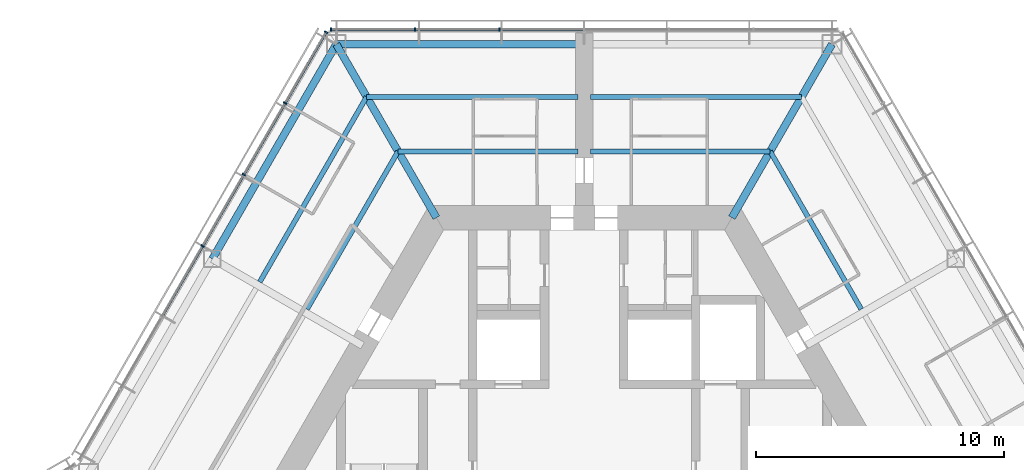
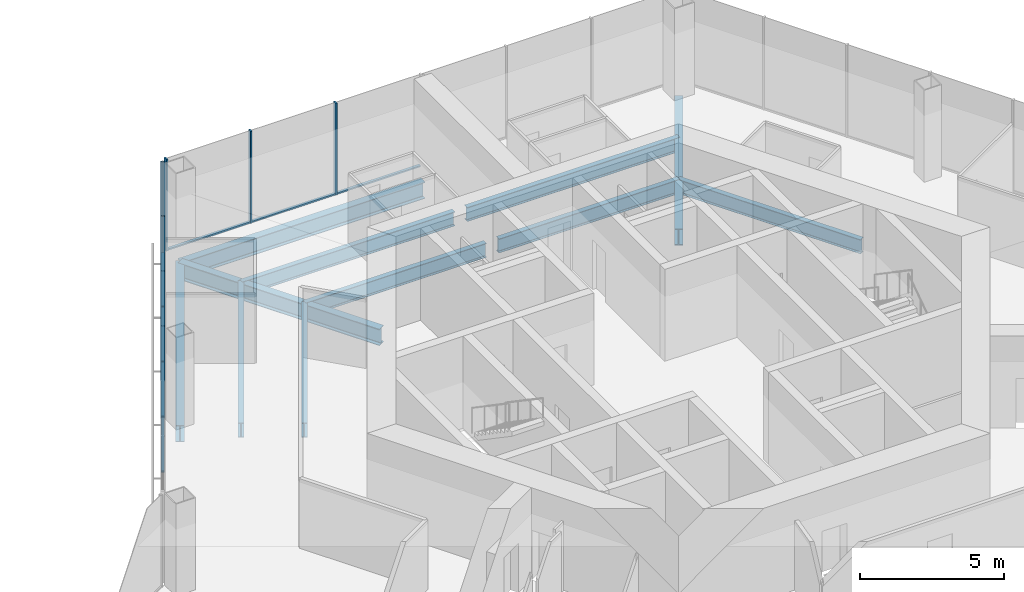
# One storey, part 7 of 18: 14 members, 11 beams, 2 elements without a shape of their own.
"""IFC4 building model written with IfcOpenShell, lengths in metres."""

from ifc_helpers import new_model, si_unit, direction, frame, origin, origin_2d, place, context, subcontext, project, spatial, rectangle, i_section, extrude, material, material_profile, profile_set, type_object, element, aggregate, save


model = new_model("IFC4")

# Units and contexts
model_context = context("Model", 3, precision=1e-05, world=origin(), true_north=direction((0.0, 1.0)))
body_context = subcontext(model_context, "Body", "Model", "MODEL_VIEW")
ifc_project = project(units=[si_unit("LENGTHUNIT", "METRE"), si_unit("AREAUNIT", "SQUARE_METRE"), si_unit("VOLUMEUNIT", "CUBIC_METRE"), si_unit("PLANEANGLEUNIT", "RADIAN"), si_unit("MASSUNIT", "GRAM", prefix="KILO")], contexts=[model_context])

# Site, building, storey
site_placement = place(None, origin())
site = spatial("IfcSite", under=ifc_project, at=site_placement, CompositionType="ELEMENT")
building_placement = place(site_placement, origin())
building = spatial("IfcBuilding", under=site, at=building_placement, Name="Kasaneha Research Tower", CompositionType="ELEMENT")
storey_placement = place(building_placement, frame((0.0, 0.0, 195.5)))
storey = spatial("IfcBuildingStorey", under=building, at=storey_placement, Name="L49", CompositionType="ELEMENT", Elevation=195.5)

# Beams
ifc_material_1 = material(Name="Steel SN490B", Category="steel")
ifc_material_profile_1 = material_profile(ifc_material_1, i_section(OverallWidth=0.199951171875, OverallDepth=0.60009765625, WebThickness=0.010986328125, FlangeThickness=0.01708984375, FilletRadius=0.012939453125, at=origin_2d()), Name="H-600x200x11x17")
ifc_profile_set_1 = profile_set([ifc_material_profile_1], Name="Steel SN490B")
beam_type_1 = type_object("IfcBeamType", Name="B1-3 secondary beam H-600x200x11x17", PredefinedType="JOIST", material=ifc_profile_set_1)
beam_1_placement = place(storey_placement, frame((7.505615234375, 13.0, -0.449951171875), z_axis=(0.499994443168, -0.866028611999, 0.0), x_axis=(0.866028611999, 0.499994443168, 0.0)))
element("IfcBeam", 1, at=beam_1_placement, inside=storey, type_object=beam_type_1, Name="Secondary beam RS030R1 L49", PredefinedType="JOIST", context=body_context, shape_type="SweptSolid", body=[
    extrude(i_section(OverallWidth=0.199951171875, OverallDepth=0.60009765625, WebThickness=0.010986328125, FlangeThickness=0.01708984375, FilletRadius=0.012939453125, at=origin_2d()), origin(), (0.0, 0.0, 1.0), 7.35546875),
])
beam_2_placement = place(storey_placement, frame((7.505615234375, 13.0, -0.449951171875), z_axis=(-1.0, 0.0, 0.0), x_axis=(0.0, -1.0, 0.0)))
element("IfcBeam", 2, at=beam_2_placement, inside=storey, type_object=beam_type_1, Name="Secondary beam RS090L1 L49", PredefinedType="JOIST", context=body_context, shape_type="SweptSolid", body=[
    extrude(i_section(OverallWidth=0.199951171875, OverallDepth=0.60009765625, WebThickness=0.010986328125, FlangeThickness=0.01708984375, FilletRadius=0.012939453125, at=origin_2d()), origin(), (0.0, 0.0, 1.0), 7.255615234375),
])
beam_3_placement = place(storey_placement, frame((8.775634765625, 15.199951171875, -0.449951171875), z_axis=(-1.0, 0.0, 0.0), x_axis=(0.0, -1.0, 0.0)))
element("IfcBeam", 3, at=beam_3_placement, inside=storey, type_object=beam_type_1, Name="Secondary beam RS090L2 L49", PredefinedType="JOIST", context=body_context, shape_type="SweptSolid", body=[
    extrude(i_section(OverallWidth=0.199951171875, OverallDepth=0.60009765625, WebThickness=0.010986328125, FlangeThickness=0.01708984375, FilletRadius=0.012939453125, at=origin_2d()), origin(), (0.0, 0.0, 1.0), 8.525634765625),
])
beam_4_placement = place(storey_placement, frame((-7.505615234375, 13.0, -0.449951171875), z_axis=(1.0, 0.0, 0.0), x_axis=(0.0, 1.0, 0.0)))
element("IfcBeam", 4, at=beam_4_placement, inside=storey, type_object=beam_type_1, Name="Secondary beam RS090R1 L49", PredefinedType="JOIST", context=body_context, shape_type="SweptSolid", body=[
    extrude(i_section(OverallWidth=0.199951171875, OverallDepth=0.60009765625, WebThickness=0.010986328125, FlangeThickness=0.01708984375, FilletRadius=0.012939453125, at=origin_2d()), origin(), (0.0, 0.0, 1.0), 7.255615234375),
])
beam_5_placement = place(storey_placement, frame((-8.775634765625, 15.199951171875, -0.449951171875), z_axis=(1.0, 0.0, 0.0), x_axis=(0.0, 1.0, 0.0)))
element("IfcBeam", 5, at=beam_5_placement, inside=storey, type_object=beam_type_1, Name="Secondary beam RS090R2 L49", PredefinedType="JOIST", context=body_context, shape_type="SweptSolid", body=[
    extrude(i_section(OverallWidth=0.199951171875, OverallDepth=0.60009765625, WebThickness=0.010986328125, FlangeThickness=0.01708984375, FilletRadius=0.012939453125, at=origin_2d()), origin(), (0.0, 0.0, 1.0), 8.525634765625),
])
beam_6_placement = place(storey_placement, frame((-7.505615234375, 13.0, -0.449951171875), z_axis=(-0.499994443168, -0.866028611999, 0.0), x_axis=(0.866028611999, -0.499994443168, 0.0)))
element("IfcBeam", 6, at=beam_6_placement, inside=storey, type_object=beam_type_1, Name="Secondary beam RS150L1 L49", PredefinedType="JOIST", context=body_context, shape_type="SweptSolid", body=[
    extrude(i_section(OverallWidth=0.199951171875, OverallDepth=0.60009765625, WebThickness=0.010986328125, FlangeThickness=0.01708984375, FilletRadius=0.012939453125, at=origin_2d()), origin(), (0.0, 0.0, 1.0), 7.35546875),
])
beam_7_placement = place(storey_placement, frame((-8.775634765625, 15.199951171875, -0.449951171875), z_axis=(-0.500017275495, -0.866015429543, 0.0), x_axis=(0.866015429543, -0.500017275495, 0.0)))
element("IfcBeam", 7, at=beam_7_placement, inside=storey, type_object=beam_type_1, Name="Secondary beam RS150L2 L49", PredefinedType="JOIST", context=body_context, shape_type="SweptSolid", body=[
    extrude(i_section(OverallWidth=0.199951171875, OverallDepth=0.60009765625, WebThickness=0.010986328125, FlangeThickness=0.01708984375, FilletRadius=0.012939453125, at=origin_2d()), origin(), (0.0, 0.0, 1.0), 8.625732421875),
])

# Curtain wall, members
ifc_material_2 = material(Name="Glass and aluminium", Category="aluminium")
curtain_wall_type = type_object("IfcCurtainWallType", Name="Mid-rise office curtain wall", PredefinedType="USERDEFINED", material=ifc_material_2)
curtain_wall_1_placement = place(storey_placement, origin())
curtain_wall_1 = element("IfcCurtainWall", 8, at=curtain_wall_1_placement, inside=storey, type_object=curtain_wall_type, Name="CW-O2 L49 run 07a", ObjectType="UNITISED CURTAIN WALL", PredefinedType="USERDEFINED")
ifc_material_3 = material(Name="Aluminium 6063-T6", Category="aluminium")
ifc_material_profile_2 = material_profile(ifc_material_3, rectangle(XDim=0.06005859375, YDim=0.14990234375, at=origin_2d()), Name="CW-O2 mullion 60x150")
ifc_profile_set_2 = profile_set([ifc_material_profile_2], Name="Aluminium 6063-T6")
member_type_1 = type_object("IfcMemberType", Name="CW-O2 mullion", PredefinedType="MULLION", material=ifc_profile_set_2)
member_1_placement = place(storey_placement, frame((-3.41552734375, 17.92041015625, 0.0), z_axis=(0.0, 0.0, 1.0), x_axis=(-1.0, 0.0, 0.0)))
member_1 = element("IfcMember", 9, at=member_1_placement, type_object=member_type_1, Name="CW-O2 mullion 5", PredefinedType="MULLION", context=body_context, shape_type="SweptSolid", body=[
    extrude(rectangle(XDim=0.06005859375, YDim=0.14990234375, at=origin_2d()), origin(), (0.0, 0.0, 1.0), 3.89990234375),
])
member_2_placement = place(storey_placement, frame((-6.8310546875, 17.92041015625, 0.0), z_axis=(0.0, 0.0, 1.0), x_axis=(-1.0, 0.0, 0.0)))
member_2 = element("IfcMember", 10, at=member_2_placement, type_object=member_type_1, Name="CW-O2 mullion 6", PredefinedType="MULLION", context=body_context, shape_type="SweptSolid", body=[
    extrude(rectangle(XDim=0.06005859375, YDim=0.14990234375, at=origin_2d()), origin(), (0.0, 0.0, 1.0), 3.89990234375),
])
member_3_placement = place(storey_placement, frame((-10.21630859375, 17.92041015625, 0.0), z_axis=(0.0, 0.0, 1.0), x_axis=(-1.0, 0.0, 0.0)))
member_3 = element("IfcMember", 11, at=member_3_placement, type_object=member_type_1, Name="CW-O2 mullion 7", PredefinedType="MULLION", context=body_context, shape_type="SweptSolid", body=[
    extrude(rectangle(XDim=0.06005859375, YDim=0.14990234375, at=origin_2d()), origin(), (0.0, 0.0, 1.0), 3.89990234375),
])

curtain_wall_2_placement = place(storey_placement, origin())
curtain_wall_2 = element("IfcCurtainWall", 12, at=curtain_wall_2_placement, inside=storey, type_object=curtain_wall_type, Name="CW-O2 L49 run 08a", ObjectType="UNITISED CURTAIN WALL", PredefinedType="USERDEFINED")
member_4_placement = place(storey_placement, frame((-10.411376953125, 17.807861328125, 0.0), z_axis=(0.0, 0.0, 1.0), x_axis=(-0.499999979232, -0.866025415775, 0.0)))
member_4 = element("IfcMember", 13, at=member_4_placement, type_object=member_type_1, Name="CW-O2 mullion 1", PredefinedType="MULLION", context=body_context, shape_type="SweptSolid", body=[
    extrude(rectangle(XDim=0.06005859375, YDim=0.14990234375, at=origin_2d()), origin(), (0.0, 0.0, 1.0), 3.89990234375),
])
member_5_placement = place(storey_placement, frame((-12.061767578125, 14.94921875, 0.0), z_axis=(0.0, 0.0, 1.0), x_axis=(-0.499999979232, -0.866025415775, 0.0)))
member_5 = element("IfcMember", 14, at=member_5_placement, type_object=member_type_1, Name="CW-O2 mullion 2", PredefinedType="MULLION", context=body_context, shape_type="SweptSolid", body=[
    extrude(rectangle(XDim=0.06005859375, YDim=0.14990234375, at=origin_2d()), origin(), (0.0, 0.0, 1.0), 3.89990234375),
])
member_6_placement = place(storey_placement, frame((-13.727294921875, 12.064453125, 0.0), z_axis=(0.0, 0.0, 1.0), x_axis=(-0.499999979232, -0.866025415775, 0.0)))
member_6 = element("IfcMember", 15, at=member_6_placement, type_object=member_type_1, Name="CW-O2 mullion 3", PredefinedType="MULLION", context=body_context, shape_type="SweptSolid", body=[
    extrude(rectangle(XDim=0.06005859375, YDim=0.14990234375, at=origin_2d()), origin(), (0.0, 0.0, 1.0), 3.89990234375),
])
member_7_placement = place(storey_placement, frame((-15.392822265625, 9.179931640625, 0.0), z_axis=(0.0, 0.0, 1.0), x_axis=(-0.499999979232, -0.866025415775, 0.0)))
member_7 = element("IfcMember", 16, at=member_7_placement, type_object=member_type_1, Name="CW-O2 mullion 4", PredefinedType="MULLION", context=body_context, shape_type="SweptSolid", body=[
    extrude(rectangle(XDim=0.06005859375, YDim=0.14990234375, at=origin_2d()), origin(), (0.0, 0.0, 1.0), 3.89990234375),
])

# Member
ifc_material_4 = material(Name="Aluminium 6063-T6", Category="aluminium")
ifc_material_profile_3 = material_profile(ifc_material_4, rectangle(XDim=0.110107421875, YDim=0.06005859375, at=origin_2d()), Name="CW-O2 transom 110x60")
ifc_profile_set_3 = profile_set([ifc_material_profile_3], Name="Aluminium 6063-T6")
member_type_2 = type_object("IfcMemberType", Name="CW-O2 transom", PredefinedType="USERDEFINED", material=ifc_profile_set_3)
member_8_placement = place(storey_placement, frame((-0.030029296875, 17.92041015625, 0.030029296875), z_axis=(-1.0, 0.0, 0.0), x_axis=(0.0, -1.0, 0.0)))
member_8 = element("IfcMember", 17, at=member_8_placement, type_object=member_type_2, Name="CW-O2 transom 4", ObjectType="TRANSOM", PredefinedType="USERDEFINED", context=body_context, shape_type="SweptSolid", body=[
    extrude(rectangle(XDim=0.110107421875, YDim=0.06005859375, at=origin_2d()), origin(), (0.0, 0.0, 1.0), 3.35546875),
])

member_9_placement = place(storey_placement, frame((-3.445556640625, 17.92041015625, 0.030029296875), z_axis=(-1.0, 0.0, 0.0), x_axis=(0.0, -1.0, 0.0)))
member_9 = element("IfcMember", 18, at=member_9_placement, type_object=member_type_2, Name="CW-O2 transom 5", ObjectType="TRANSOM", PredefinedType="USERDEFINED", context=body_context, shape_type="SweptSolid", body=[
    extrude(rectangle(XDim=0.110107421875, YDim=0.06005859375, at=origin_2d()), origin(), (0.0, 0.0, 1.0), 3.35546875),
])

member_10_placement = place(storey_placement, frame((-6.86083984375, 17.92041015625, 0.030029296875), z_axis=(-1.0, 0.0, 0.0), x_axis=(0.0, -1.0, 0.0)))
member_10 = element("IfcMember", 19, at=member_10_placement, type_object=member_type_2, Name="CW-O2 transom 6", ObjectType="TRANSOM", PredefinedType="USERDEFINED", context=body_context, shape_type="SweptSolid", body=[
    extrude(rectangle(XDim=0.110107421875, YDim=0.06005859375, at=origin_2d()), origin(), (0.0, 0.0, 1.0), 3.32568359375),
])

aggregate(curtain_wall_1, [member_1, member_2, member_3, member_8, member_9, member_10])

member_11_placement = place(storey_placement, frame((-10.426513671875, 17.781982421875, 0.030029296875), z_axis=(-0.499955025697, -0.866051368154, 0.0), x_axis=(0.866051368154, -0.499955025697, 0.0)))
member_11 = element("IfcMember", 20, at=member_11_placement, type_object=member_type_2, Name="CW-O2 transom 1", ObjectType="TRANSOM", PredefinedType="USERDEFINED", context=body_context, shape_type="SweptSolid", body=[
    extrude(rectangle(XDim=0.110107421875, YDim=0.06005859375, at=origin_2d()), origin(), (0.0, 0.0, 1.0), 3.240966796875),
])

member_12_placement = place(storey_placement, frame((-12.076904296875, 14.92333984375, 0.030029296875), z_axis=(-0.500000270186, -0.866025247793, 0.0), x_axis=(0.866025247793, -0.500000270186, 0.0)))
member_12 = element("IfcMember", 21, at=member_12_placement, type_object=member_type_2, Name="CW-O2 transom 2", ObjectType="TRANSOM", PredefinedType="USERDEFINED", context=body_context, shape_type="SweptSolid", body=[
    extrude(rectangle(XDim=0.110107421875, YDim=0.06005859375, at=origin_2d()), origin(), (0.0, 0.0, 1.0), 3.27099609375),
])

member_13_placement = place(storey_placement, frame((-13.742431640625, 12.03857421875, 0.030029296875), z_axis=(-0.500000270186, -0.866025247793, 0.0), x_axis=(0.866025247793, -0.500000270186, 0.0)))
member_13 = element("IfcMember", 22, at=member_13_placement, type_object=member_type_2, Name="CW-O2 transom 3", ObjectType="TRANSOM", PredefinedType="USERDEFINED", context=body_context, shape_type="SweptSolid", body=[
    extrude(rectangle(XDim=0.110107421875, YDim=0.06005859375, at=origin_2d()), origin(), (0.0, 0.0, 1.0), 3.27099609375),
])

member_14_placement = place(storey_placement, frame((-15.40771484375, 9.15380859375, 0.030029296875), z_axis=(-0.50003259116, -0.866006586452, 0.0), x_axis=(0.866006586452, -0.50003259116, 0.0)))
member_14 = element("IfcMember", 23, at=member_14_placement, type_object=member_type_2, Name="CW-O2 transom 4", ObjectType="TRANSOM", PredefinedType="USERDEFINED", context=body_context, shape_type="SweptSolid", body=[
    extrude(rectangle(XDim=0.110107421875, YDim=0.06005859375, at=origin_2d()), origin(), (0.0, 0.0, 1.0), 3.270751953125),
])

aggregate(curtain_wall_2, [member_4, member_5, member_6, member_7, member_11, member_12, member_13, member_14])

# Beams
ifc_material_5 = material(Name="Steel SN490B", Category="steel")
ifc_material_profile_4 = material_profile(ifc_material_5, i_section(OverallWidth=0.300048828125, OverallDepth=0.699951171875, WebThickness=0.012939453125, FlangeThickness=0.02392578125, FilletRadius=0.01806640625, at=origin_2d()), Name="H-700x300x13x24")
ifc_profile_set_4 = profile_set([ifc_material_profile_4], Name="Steel SN490B")
beam_type_2 = type_object("IfcBeamType", Name="G1-3 radial girder H-700x300x13x24", PredefinedType="BEAM", material=ifc_profile_set_4)
for number, where, z_axis, x_axis, name in (
    (24, (5.961181640625, 10.324951171875, -0.5), (0.49999105496, 0.866030568144, 0.0), (-0.866030568144, 0.49999105496, 0.0), "Radial girder RV060 L49"),
    (25, (-5.961181640625, 10.324951171875, -0.5), (-0.49999105496, 0.866030568144, 0.0), (-0.866030568144, -0.49999105496, 0.0), "Radial girder RV120 L49"),
):
    element("IfcBeam", number, at=place(storey_placement, frame(where, z_axis=z_axis, x_axis=x_axis)), inside=storey, type_object=beam_type_2, Name=name, PredefinedType="BEAM", context=body_context, shape_type="SweptSolid", body=[
        extrude(i_section(OverallWidth=0.300048828125, OverallDepth=0.699951171875, WebThickness=0.012939453125, FlangeThickness=0.02392578125, FilletRadius=0.01806640625, at=origin_2d()), origin(), (0.0, 0.0, 1.0), 8.077880859375),
    ])
ifc_material_6 = material(Name="Steel SN490B", Category="steel")
ifc_material_profile_5 = material_profile(ifc_material_6, i_section(OverallWidth=0.300048828125, OverallDepth=0.69189453125, WebThickness=0.012939453125, FlangeThickness=0.02001953125, FilletRadius=0.01806640625, at=origin_2d()), Name="H-692x300x13x20")
ifc_profile_set_5 = profile_set([ifc_material_profile_5], Name="Steel SN490B")
beam_type_3 = type_object("IfcBeamType", Name="G3-3 plate edge girder H-692x300x13x20", PredefinedType="BEAM", material=ifc_profile_set_5)
beam_8_placement = place(storey_placement, frame((-10.0, 17.320556640625, -0.49609375), z_axis=(1.0, 0.0, 0.0), x_axis=(0.0, 1.0, 0.0)))
element("IfcBeam", 26, at=beam_8_placement, inside=storey, type_object=beam_type_3, Name="Plate edge girder PEAN L49", PredefinedType="BEAM", context=body_context, shape_type="SweptSolid", body=[
    extrude(i_section(OverallWidth=0.300048828125, OverallDepth=0.69189453125, WebThickness=0.012939453125, FlangeThickness=0.02001953125, FilletRadius=0.01806640625, at=origin_2d()), origin(), (0.0, 0.0, 1.0), 9.75),
])
ifc_material_7 = material(Name="Steel SN490B", Category="steel")
ifc_material_profile_6 = material_profile(ifc_material_7, i_section(OverallWidth=0.300048828125, OverallDepth=0.69189453125, WebThickness=0.012939453125, FlangeThickness=0.02001953125, FilletRadius=0.01806640625, at=origin_2d()), Name="H-692x300x13x20")
ifc_profile_set_6 = profile_set([ifc_material_profile_6], Name="Steel SN490B")
beam_type_4 = type_object("IfcBeamType", Name="SB1-3 spandrel beam H-692x300x13x20", PredefinedType="SPANDREL", material=ifc_profile_set_6)
beam_9_placement = place(storey_placement, frame((-10.0, 17.320556640625, -0.49609375), z_axis=(-0.499993662806, -0.866029062534, 0.0), x_axis=(0.866029062534, -0.499993662806, 0.0)))
element("IfcBeam", 27, at=beam_9_placement, inside=storey, type_object=beam_type_4, Name="Spandrel beam SR150L L49", PredefinedType="SPANDREL", context=body_context, shape_type="SweptSolid", body=[
    extrude(i_section(OverallWidth=0.300048828125, OverallDepth=0.69189453125, WebThickness=0.012939453125, FlangeThickness=0.02001953125, FilletRadius=0.01806640625, at=origin_2d()), origin(), (0.0, 0.0, 1.0), 10.000244140625),
])

save(model, "model.ifc")
